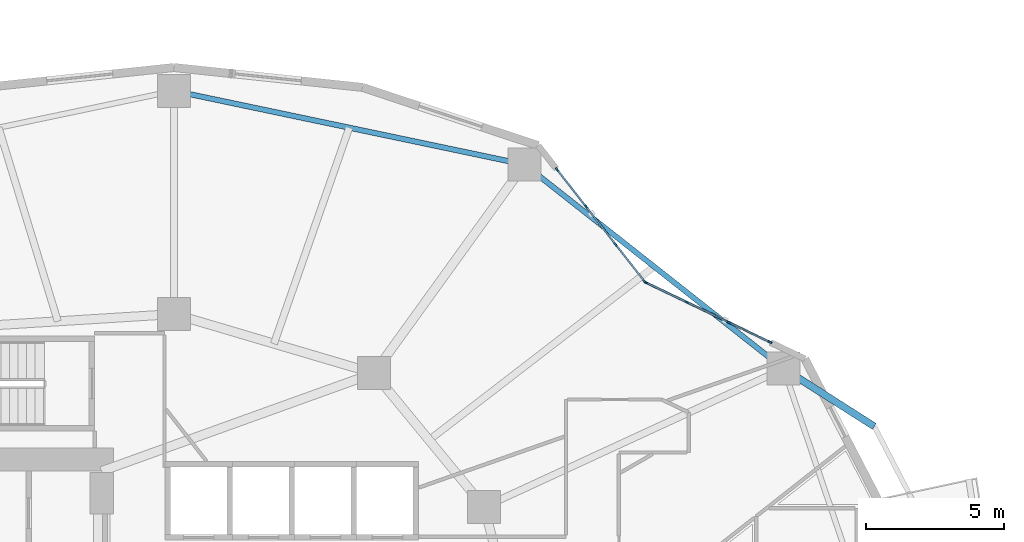
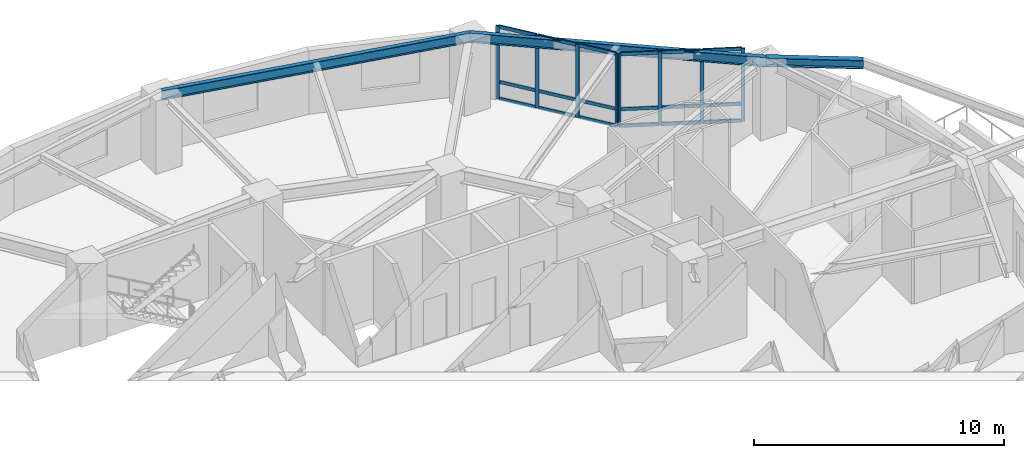
# One storey, part 6 of 19: 26 members, 3 beams, 2 elements without a shape of their own.
"""IFC4 building model written with IfcOpenShell, lengths in metres."""

from ifc_helpers import new_model, si_unit, direction, frame, origin, origin_2d, place, context, subcontext, project, spatial, rectangle, i_section, extrude, material, layer, layer_set, material_profile, profile_set, type_object, element, aggregate, save


model = new_model("IFC4")

# Units and contexts
model_context = context("Model", 3, precision=1e-05, world=origin(), true_north=direction((0.0, 1.0)))
body_context = subcontext(model_context, "Body", "Model", "MODEL_VIEW")
ifc_project = project(units=[si_unit("LENGTHUNIT", "METRE"), si_unit("AREAUNIT", "SQUARE_METRE"), si_unit("VOLUMEUNIT", "CUBIC_METRE"), si_unit("PLANEANGLEUNIT", "RADIAN"), si_unit("MASSUNIT", "GRAM", prefix="KILO")], contexts=[model_context])

# Site, building, storey
site_placement = place(None, origin())
site = spatial("IfcSite", under=ifc_project, at=site_placement, CompositionType="ELEMENT")
building_placement = place(site_placement, origin())
building = spatial("IfcBuilding", under=site, at=building_placement, Name="Kolvaren Gate Tower and Convention Centre", CompositionType="ELEMENT")
storey_placement = place(building_placement, frame((0.0, 0.0, 68.85009765625)))
storey = spatial("IfcBuildingStorey", under=building, at=storey_placement, Name="L16", CompositionType="ELEMENT", Elevation=68.85009765625)

# Curtain wall, members
ifc_material_1 = material(Name="Anodized Architectural Aluminium Alloy 6063-T6", Category="aluminium")
ifc_layer = layer(ifc_material_1, 0.159912109375)
ifc_layer_set = layer_set([ifc_layer], Name="Anodized Architectural Aluminium Alloy 6063-T6")
curtain_wall_type = type_object("IfcCurtainWallType", Name="CW-OFF-UNIT", PredefinedType="NOTDEFINED", material=ifc_layer_set)
curtain_wall_1_placement = place(storey_placement, origin())
curtain_wall_1 = element("IfcCurtainWall", 1, at=curtain_wall_1_placement, inside=storey, type_object=curtain_wall_type, Name="Tower L16 Unitised Curtain Wall CW-OFF-UNIT Bay 02", PredefinedType="NOTDEFINED")
ifc_material_profile_1 = material_profile(ifc_material_1, rectangle(XDim=0.06494140625, YDim=0.159912109375, at=origin_2d()), Name="CW-MEM-MUL-160")
ifc_profile_set_1 = profile_set([ifc_material_profile_1], Name="Anodized Architectural Aluminium Alloy 6063-T6")
member_type_1 = type_object("IfcMemberType", Name="CW-MEM-MUL-160", PredefinedType="MULLION", material=ifc_profile_set_1)
member_1_placement = place(storey_placement, frame((47.253173828125, 40.345947265625, 0.0), z_axis=(0.0, 0.0, 1.0), x_axis=(0.433067077196, 0.901361695796, 0.0)))
member_1 = element("IfcMember", 2, at=member_1_placement, type_object=member_type_1, Name="CW-02 mullion 1", PredefinedType="MULLION", context=body_context, shape_type="SweptSolid", body=[
    extrude(rectangle(XDim=0.06494140625, YDim=0.159912109375, at=origin_2d()), origin(), (0.0, 0.0, 1.0), 3.56982421875),
])
member_2_placement = place(storey_placement, frame((48.7412109375, 39.631103515625, 0.0), z_axis=(0.0, 0.0, 1.0), x_axis=(0.433067077196, 0.901361695796, 0.0)))
member_2 = element("IfcMember", 3, at=member_2_placement, type_object=member_type_1, Name="CW-02 mullion 2", PredefinedType="MULLION", context=body_context, shape_type="SweptSolid", body=[
    extrude(rectangle(XDim=0.06494140625, YDim=0.159912109375, at=origin_2d()), origin(), (0.0, 0.0, 1.0), 3.56982421875),
])
member_3_placement = place(storey_placement, frame((50.258544921875, 38.902099609375, 0.0), z_axis=(0.0, 0.0, 1.0), x_axis=(0.433067077196, 0.901361695796, 0.0)))
member_3 = element("IfcMember", 4, at=member_3_placement, type_object=member_type_1, Name="CW-02 mullion 3", PredefinedType="MULLION", context=body_context, shape_type="SweptSolid", body=[
    extrude(rectangle(XDim=0.06494140625, YDim=0.159912109375, at=origin_2d()), origin(), (0.0, 0.0, 1.0), 3.56982421875),
])
member_4_placement = place(storey_placement, frame((51.74658203125, 38.187255859375, 0.0), z_axis=(0.0, 0.0, 1.0), x_axis=(0.433067077196, 0.901361695796, 0.0)))
member_4 = element("IfcMember", 5, at=member_4_placement, type_object=member_type_1, Name="CW-02 mullion 4", PredefinedType="MULLION", context=body_context, shape_type="SweptSolid", body=[
    extrude(rectangle(XDim=0.06494140625, YDim=0.159912109375, at=origin_2d()), origin(), (0.0, 0.0, 1.0), 3.56982421875),
])

curtain_wall_2_placement = place(storey_placement, origin())
curtain_wall_2 = element("IfcCurtainWall", 6, at=curtain_wall_2_placement, inside=storey, type_object=curtain_wall_type, Name="Tower L16 Unitised Curtain Wall CW-OFF-UNIT Bay 03", PredefinedType="NOTDEFINED")
member_5_placement = place(storey_placement, frame((44.027099609375, 44.443603515625, 0.0), z_axis=(0.0, 0.0, 1.0), x_axis=(0.787406322976, 0.61643432946, 0.0)))
member_5 = element("IfcMember", 7, at=member_5_placement, type_object=member_type_1, Name="CW-02 mullion 1", PredefinedType="MULLION", context=body_context, shape_type="SweptSolid", body=[
    extrude(rectangle(XDim=0.06494140625, YDim=0.159912109375, at=origin_2d()), origin(), (0.0, 0.0, 1.0), 3.56982421875),
])
member_6_placement = place(storey_placement, frame((45.079345703125, 43.099365234375, 0.0), z_axis=(0.0, 0.0, 1.0), x_axis=(0.787406322976, 0.61643432946, 0.0)))
member_6 = element("IfcMember", 8, at=member_6_placement, type_object=member_type_1, Name="CW-02 mullion 2", PredefinedType="MULLION", context=body_context, shape_type="SweptSolid", body=[
    extrude(rectangle(XDim=0.06494140625, YDim=0.159912109375, at=origin_2d()), origin(), (0.0, 0.0, 1.0), 3.56982421875),
])
member_7_placement = place(storey_placement, frame((46.151611328125, 41.729736328125, 0.0), z_axis=(0.0, 0.0, 1.0), x_axis=(0.787406322976, 0.61643432946, 0.0)))
member_7 = element("IfcMember", 9, at=member_7_placement, type_object=member_type_1, Name="CW-02 mullion 3", PredefinedType="MULLION", context=body_context, shape_type="SweptSolid", body=[
    extrude(rectangle(XDim=0.06494140625, YDim=0.159912109375, at=origin_2d()), origin(), (0.0, 0.0, 1.0), 3.56982421875),
])
member_8_placement = place(storey_placement, frame((47.203857421875, 40.3857421875, 0.0), z_axis=(0.0, 0.0, 1.0), x_axis=(0.787406322976, 0.61643432946, 0.0)))
member_8 = element("IfcMember", 10, at=member_8_placement, type_object=member_type_1, Name="CW-02 mullion 4", PredefinedType="MULLION", context=body_context, shape_type="SweptSolid", body=[
    extrude(rectangle(XDim=0.06494140625, YDim=0.159912109375, at=origin_2d()), origin(), (0.0, 0.0, 1.0), 3.56982421875),
])

# Member
ifc_material_profile_2 = material_profile(ifc_material_1, rectangle(XDim=0.06494140625, YDim=0.159912109375, at=origin_2d()), Name="CW-MEM-TRN-160")
ifc_profile_set_2 = profile_set([ifc_material_profile_2], Name="Anodized Architectural Aluminium Alloy 6063-T6")
member_type_2 = type_object("IfcMemberType", Name="CW-MEM-TRN-160", PredefinedType="USERDEFINED", material=ifc_profile_set_2)
member_9_placement = place(storey_placement, frame((47.282470703125, 40.33203125, 0.032470703125), z_axis=(0.90136684843, -0.433056352628, 0.0), x_axis=(0.433056352628, 0.90136684843, 0.0)))
member_9 = element("IfcMember", 11, at=member_9_placement, type_object=member_type_2, Name="CW-02 transom 1.1", ObjectType="TRANSOM", PredefinedType="USERDEFINED", context=body_context, shape_type="SweptSolid", body=[
    extrude(rectangle(XDim=0.06494140625, YDim=0.159912109375, at=origin_2d()), origin(), (0.0, 0.0, 1.0), 1.5859375),
])

member_10_placement = place(storey_placement, frame((47.282470703125, 40.33203125, 0.849853515625), z_axis=(0.90136684843, -0.433056352628, 0.0), x_axis=(0.433056352628, 0.90136684843, 0.0)))
member_10 = element("IfcMember", 12, at=member_10_placement, type_object=member_type_2, Name="CW-02 transom 1.2", ObjectType="TRANSOM", PredefinedType="USERDEFINED", context=body_context, shape_type="SweptSolid", body=[
    extrude(rectangle(XDim=0.06494140625, YDim=0.159912109375, at=origin_2d()), origin(), (0.0, 0.0, 1.0), 1.5859375),
])

member_11_placement = place(storey_placement, frame((47.282470703125, 40.33203125, 3.537353515625), z_axis=(0.90136684843, -0.433056352628, 0.0), x_axis=(0.433056352628, 0.90136684843, 0.0)))
member_11 = element("IfcMember", 13, at=member_11_placement, type_object=member_type_2, Name="CW-02 transom 1.3", ObjectType="TRANSOM", PredefinedType="USERDEFINED", context=body_context, shape_type="SweptSolid", body=[
    extrude(rectangle(XDim=0.06494140625, YDim=0.159912109375, at=origin_2d()), origin(), (0.0, 0.0, 1.0), 1.5859375),
])

member_12_placement = place(storey_placement, frame((48.7705078125, 39.616943359375, 0.032470703125), z_axis=(0.901405315808, -0.432976277217, 0.0), x_axis=(0.432976277217, 0.901405315808, 0.0)))
member_12 = element("IfcMember", 14, at=member_12_placement, type_object=member_type_2, Name="CW-02 transom 2.1", ObjectType="TRANSOM", PredefinedType="USERDEFINED", context=body_context, shape_type="SweptSolid", body=[
    extrude(rectangle(XDim=0.06494140625, YDim=0.159912109375, at=origin_2d()), origin(), (0.0, 0.0, 1.0), 1.618408203125),
])

member_13_placement = place(storey_placement, frame((48.7705078125, 39.616943359375, 0.849853515625), z_axis=(0.901405315808, -0.432976277217, 0.0), x_axis=(0.432976277217, 0.901405315808, 0.0)))
member_13 = element("IfcMember", 15, at=member_13_placement, type_object=member_type_2, Name="CW-02 transom 2.2", ObjectType="TRANSOM", PredefinedType="USERDEFINED", context=body_context, shape_type="SweptSolid", body=[
    extrude(rectangle(XDim=0.06494140625, YDim=0.159912109375, at=origin_2d()), origin(), (0.0, 0.0, 1.0), 1.618408203125),
])

member_14_placement = place(storey_placement, frame((48.7705078125, 39.616943359375, 3.537353515625), z_axis=(0.901405315808, -0.432976277217, 0.0), x_axis=(0.432976277217, 0.901405315808, 0.0)))
member_14 = element("IfcMember", 16, at=member_14_placement, type_object=member_type_2, Name="CW-02 transom 2.3", ObjectType="TRANSOM", PredefinedType="USERDEFINED", context=body_context, shape_type="SweptSolid", body=[
    extrude(rectangle(XDim=0.06494140625, YDim=0.159912109375, at=origin_2d()), origin(), (0.0, 0.0, 1.0), 1.618408203125),
])

member_15_placement = place(storey_placement, frame((50.287841796875, 38.887939453125, 0.032470703125), z_axis=(0.90136684843, -0.433056352628, 0.0), x_axis=(0.433056352628, 0.90136684843, 0.0)))
member_15 = element("IfcMember", 17, at=member_15_placement, type_object=member_type_2, Name="CW-02 transom 3.1", ObjectType="TRANSOM", PredefinedType="USERDEFINED", context=body_context, shape_type="SweptSolid", body=[
    extrude(rectangle(XDim=0.06494140625, YDim=0.159912109375, at=origin_2d()), origin(), (0.0, 0.0, 1.0), 1.5859375),
])

member_16_placement = place(storey_placement, frame((50.287841796875, 38.887939453125, 0.849853515625), z_axis=(0.90136684843, -0.433056352628, 0.0), x_axis=(0.433056352628, 0.90136684843, 0.0)))
member_16 = element("IfcMember", 18, at=member_16_placement, type_object=member_type_2, Name="CW-02 transom 3.2", ObjectType="TRANSOM", PredefinedType="USERDEFINED", context=body_context, shape_type="SweptSolid", body=[
    extrude(rectangle(XDim=0.06494140625, YDim=0.159912109375, at=origin_2d()), origin(), (0.0, 0.0, 1.0), 1.5859375),
])

member_17_placement = place(storey_placement, frame((50.287841796875, 38.887939453125, 3.537353515625), z_axis=(0.90136684843, -0.433056352628, 0.0), x_axis=(0.433056352628, 0.90136684843, 0.0)))
member_17 = element("IfcMember", 19, at=member_17_placement, type_object=member_type_2, Name="CW-02 transom 3.3", ObjectType="TRANSOM", PredefinedType="USERDEFINED", context=body_context, shape_type="SweptSolid", body=[
    extrude(rectangle(XDim=0.06494140625, YDim=0.159912109375, at=origin_2d()), origin(), (0.0, 0.0, 1.0), 1.5859375),
])

aggregate(curtain_wall_1, [member_1, member_2, member_3, member_4, member_9, member_10, member_11, member_12, member_13, member_14, member_15, member_16, member_17])

member_18_placement = place(storey_placement, frame((44.047119140625, 44.41796875, 0.032470703125), z_axis=(0.616428523412, -0.787410868304, 0.0), x_axis=(0.787410868304, 0.616428523412, 0.0)))
member_18 = element("IfcMember", 20, at=member_18_placement, type_object=member_type_2, Name="CW-02 transom 1.1", ObjectType="TRANSOM", PredefinedType="USERDEFINED", context=body_context, shape_type="SweptSolid", body=[
    extrude(rectangle(XDim=0.06494140625, YDim=0.159912109375, at=origin_2d()), origin(), (0.0, 0.0, 1.0), 1.64208984375),
])

member_19_placement = place(storey_placement, frame((44.047119140625, 44.41796875, 0.849853515625), z_axis=(0.616428523412, -0.787410868304, 0.0), x_axis=(0.787410868304, 0.616428523412, 0.0)))
member_19 = element("IfcMember", 21, at=member_19_placement, type_object=member_type_2, Name="CW-02 transom 1.2", ObjectType="TRANSOM", PredefinedType="USERDEFINED", context=body_context, shape_type="SweptSolid", body=[
    extrude(rectangle(XDim=0.06494140625, YDim=0.159912109375, at=origin_2d()), origin(), (0.0, 0.0, 1.0), 1.64208984375),
])

member_20_placement = place(storey_placement, frame((44.047119140625, 44.41796875, 3.537353515625), z_axis=(0.616428523412, -0.787410868304, 0.0), x_axis=(0.787410868304, 0.616428523412, 0.0)))
member_20 = element("IfcMember", 22, at=member_20_placement, type_object=member_type_2, Name="CW-02 transom 1.3", ObjectType="TRANSOM", PredefinedType="USERDEFINED", context=body_context, shape_type="SweptSolid", body=[
    extrude(rectangle(XDim=0.06494140625, YDim=0.159912109375, at=origin_2d()), origin(), (0.0, 0.0, 1.0), 1.64208984375),
])

member_21_placement = place(storey_placement, frame((45.099365234375, 43.07373046875, 0.032470703125), z_axis=(0.616481234943, -0.787369599974, 0.0), x_axis=(0.787369599974, 0.616481234943, 0.0)))
member_21 = element("IfcMember", 23, at=member_21_placement, type_object=member_type_2, Name="CW-02 transom 2.1", ObjectType="TRANSOM", PredefinedType="USERDEFINED", context=body_context, shape_type="SweptSolid", body=[
    extrude(rectangle(XDim=0.06494140625, YDim=0.159912109375, at=origin_2d()), origin(), (0.0, 0.0, 1.0), 1.67431640625),
])

member_22_placement = place(storey_placement, frame((45.099365234375, 43.07373046875, 0.849853515625), z_axis=(0.616481234943, -0.787369599974, 0.0), x_axis=(0.787369599974, 0.616481234943, 0.0)))
member_22 = element("IfcMember", 24, at=member_22_placement, type_object=member_type_2, Name="CW-02 transom 2.2", ObjectType="TRANSOM", PredefinedType="USERDEFINED", context=body_context, shape_type="SweptSolid", body=[
    extrude(rectangle(XDim=0.06494140625, YDim=0.159912109375, at=origin_2d()), origin(), (0.0, 0.0, 1.0), 1.67431640625),
])

member_23_placement = place(storey_placement, frame((45.099365234375, 43.07373046875, 3.537353515625), z_axis=(0.616481234943, -0.787369599974, 0.0), x_axis=(0.787369599974, 0.616481234943, 0.0)))
member_23 = element("IfcMember", 25, at=member_23_placement, type_object=member_type_2, Name="CW-02 transom 2.3", ObjectType="TRANSOM", PredefinedType="USERDEFINED", context=body_context, shape_type="SweptSolid", body=[
    extrude(rectangle(XDim=0.06494140625, YDim=0.159912109375, at=origin_2d()), origin(), (0.0, 0.0, 1.0), 1.67431640625),
])

member_24_placement = place(storey_placement, frame((46.171630859375, 41.7041015625, 0.032470703125), z_axis=(0.61650069609, -0.787354362228, 0.0), x_axis=(0.787354362228, 0.61650069609, 0.0)))
member_24 = element("IfcMember", 26, at=member_24_placement, type_object=member_type_2, Name="CW-02 transom 3.1", ObjectType="TRANSOM", PredefinedType="USERDEFINED", context=body_context, shape_type="SweptSolid", body=[
    extrude(rectangle(XDim=0.06494140625, YDim=0.159912109375, at=origin_2d()), origin(), (0.0, 0.0, 1.0), 1.641845703125),
])

member_25_placement = place(storey_placement, frame((46.171630859375, 41.7041015625, 0.849853515625), z_axis=(0.61650069609, -0.787354362228, 0.0), x_axis=(0.787354362228, 0.61650069609, 0.0)))
member_25 = element("IfcMember", 27, at=member_25_placement, type_object=member_type_2, Name="CW-02 transom 3.2", ObjectType="TRANSOM", PredefinedType="USERDEFINED", context=body_context, shape_type="SweptSolid", body=[
    extrude(rectangle(XDim=0.06494140625, YDim=0.159912109375, at=origin_2d()), origin(), (0.0, 0.0, 1.0), 1.641845703125),
])

member_26_placement = place(storey_placement, frame((46.171630859375, 41.7041015625, 3.537353515625), z_axis=(0.61650069609, -0.787354362228, 0.0), x_axis=(0.787354362228, 0.61650069609, 0.0)))
member_26 = element("IfcMember", 28, at=member_26_placement, type_object=member_type_2, Name="CW-02 transom 3.3", ObjectType="TRANSOM", PredefinedType="USERDEFINED", context=body_context, shape_type="SweptSolid", body=[
    extrude(rectangle(XDim=0.06494140625, YDim=0.159912109375, at=origin_2d()), origin(), (0.0, 0.0, 1.0), 1.641845703125),
])

aggregate(curtain_wall_2, [member_5, member_6, member_7, member_8, member_18, member_19, member_20, member_21, member_22, member_23, member_24, member_25, member_26])

# Beams
ifc_material_2 = material(Name="Structural steel ASTM A992 Grade 345 MPa", Category="steel")
ifc_material_profile_3 = material_profile(ifc_material_2, i_section(OverallWidth=0.260009765625, OverallDepth=0.419921875, WebThickness=0.013427734375, FlangeThickness=0.0224609375, at=origin_2d()), Name="W410X132")
ifc_profile_set_3 = profile_set([ifc_material_profile_3], Name="Structural steel ASTM A992 Grade 345 MPa")
beam_type_1 = type_object("IfcBeamType", Name="STR-BM-W410X132", PredefinedType="BEAM", material=ifc_profile_set_3)
beam_1_placement = place(storey_placement, frame((52.248779296875, 37.218505859375, 3.3603515625), z_axis=(0.843548050681, -0.537053708853, 0.0), x_axis=(0.537053708853, 0.843548050681, 0.0)))
element("IfcBeam", 29, at=beam_1_placement, inside=storey, type_object=beam_type_1, Name="Tower L17 Planted Balcony Outrigger Cantilever BC-4B", PredefinedType="BEAM", context=body_context, shape_type="SweptSolid", body=[
    extrude(i_section(OverallWidth=0.260009765625, OverallDepth=0.419921875, WebThickness=0.013427734375, FlangeThickness=0.0224609375, at=origin_2d()), origin(), (0.0, 0.0, 1.0), 3.89990234375),
])
ifc_material_profile_4 = material_profile(ifc_material_2, i_section(OverallWidth=0.194091796875, OverallDepth=0.468994140625, WebThickness=0.0126953125, FlangeThickness=0.0205078125, at=origin_2d()), Name="W460X106")
ifc_profile_set_4 = profile_set([ifc_material_profile_4], Name="Structural steel ASTM A992 Grade 345 MPa")
beam_type_2 = type_object("IfcBeamType", Name="STR-SP-W460X106", PredefinedType="SPANDREL", material=ifc_profile_set_4)
beam_2_placement = place(storey_placement, frame((52.248779296875, 37.218505859375, 3.33544921875), z_axis=(-0.785459824636, 0.618912646407, 0.0), x_axis=(-0.618912646407, -0.785459824636, 0.0)))
element("IfcBeam", 30, at=beam_2_placement, inside=storey, type_object=beam_type_2, Name="Tower L16 Perimeter Spandrel Beam SP-02", PredefinedType="SPANDREL", context=body_context, shape_type="SweptSolid", body=[
    extrude(i_section(OverallWidth=0.194091796875, OverallDepth=0.468994140625, WebThickness=0.0126953125, FlangeThickness=0.0205078125, at=origin_2d()), origin(), (0.0, 0.0, 1.0), 11.970458984375),
])
beam_3_placement = place(storey_placement, frame((42.846435546875, 44.627197265625, 3.33544921875), z_axis=(-0.978632602148, 0.205616706552, 0.0), x_axis=(-0.205616706552, -0.978632602148, 0.0)))
element("IfcBeam", 31, at=beam_3_placement, inside=storey, type_object=beam_type_2, Name="Tower L16 Perimeter Spandrel Beam SP-03", PredefinedType="SPANDREL", context=body_context, shape_type="SweptSolid", body=[
    extrude(i_section(OverallWidth=0.194091796875, OverallDepth=0.468994140625, WebThickness=0.0126953125, FlangeThickness=0.0205078125, at=origin_2d()), origin(), (0.0, 0.0, 1.0), 12.999267578125),
])

save(model, "model.ifc")
